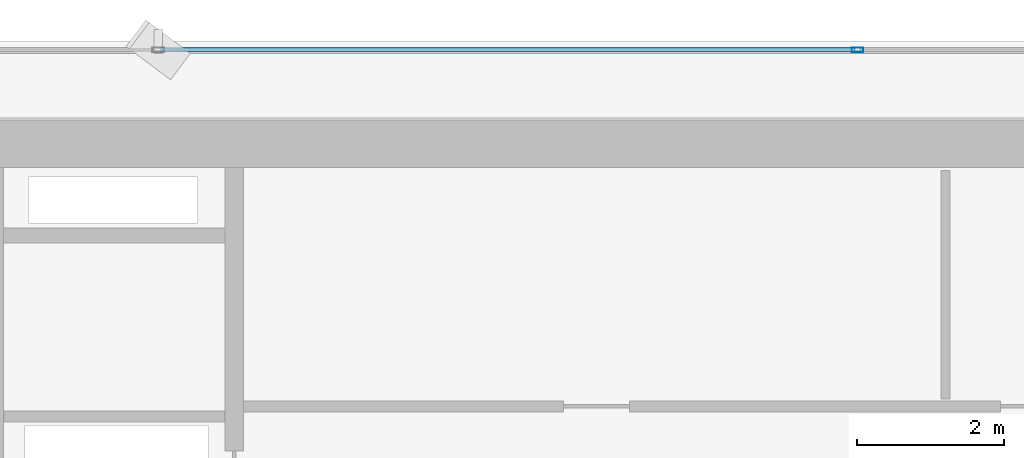
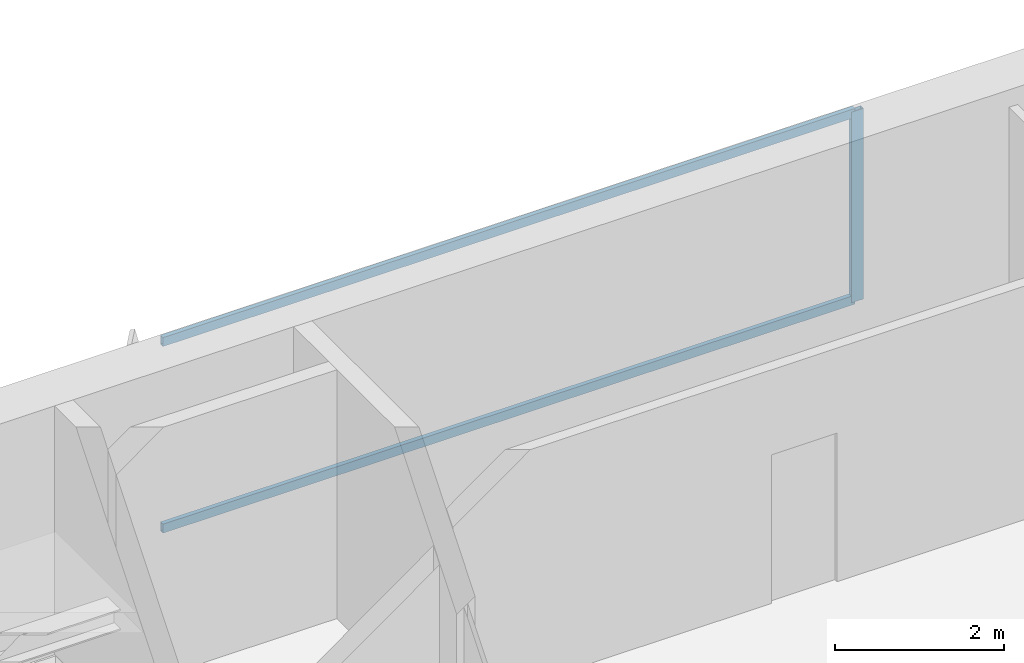
# One storey, part 16 of 28: 3 members, 1 element without a shape of its own.
"""IFC4 building model written with IfcOpenShell, lengths in metres."""

import ifcopenshell
import ifcopenshell.guid

model = None  # the IFC model being written
_history = None  # IfcOwnerHistory: only IFC2X3 demands one
_inside = {}  # id of a spatial element -> (the spatial element, [elements in it])
_under = {}  # id of a project, library or spatial element -> (it, [spatial elements below it])
_declared = {}  # id of a project -> (the project, [libraries it declares])
_typed = {}  # id of a type object -> (the type object, [elements of that type])
_made_of = {}  # id of a material, layer set ... -> (it, [elements and type objects made of it])


def new_model(schema):
    """Start an empty IFC model of exactly this schema.

    Asked for "IFC4X3", IfcOpenShell would pick the latest addendum, in which some entities
    have other attributes; the version numbers below select the first issue.
    IFC2X3 requires an IfcOwnerHistory on every rooted entity: one is made here for all.
    """
    global model, _history
    if schema == "IFC4X3":
        model = ifcopenshell.file(schema_version=(4, 3, 0, 0))
    else:
        model = ifcopenshell.file(schema=schema)
    _inside.clear()
    _under.clear()
    _declared.clear()
    _typed.clear()
    _made_of.clear()
    _history = None
    if model.schema == "IFC2X3":
        org = make("IfcOrganization", Name="unknown")
        user = make(
            "IfcPersonAndOrganization",
            ThePerson=make("IfcPerson", FamilyName="unknown"),
            TheOrganization=org,
        )
        app = make(
            "IfcApplication",
            ApplicationDeveloper=org,
            Version="unknown",
            ApplicationFullName="unknown",
            ApplicationIdentifier="unknown",
        )
        _history = make(
            "IfcOwnerHistory",
            OwningUser=user,
            OwningApplication=app,
            ChangeAction="ADDED",
            CreationDate=0,
        )
    return model


def make(cls, **values):
    """One entity of the class cls with the attributes given. An attribute that is None is left unset."""
    return model.create_entity(
        cls, **{name: value for name, value in values.items() if value is not None}
    )


def rooted(cls, **values):
    """An entity with a GlobalId (a new one), such as an element, a storey or a relation."""
    return make(cls, GlobalId=ifcopenshell.guid.new(), OwnerHistory=_history, **values)


def si_unit(unit_type, name, prefix=None):
    """IfcSIUnit, for example si_unit("LENGTHUNIT", "METRE", prefix="MILLI")."""
    return make("IfcSIUnit", UnitType=unit_type, Prefix=prefix, Name=name)


def assignment(units):
    """IfcUnitAssignment: the units of a project."""
    return None if units is None else make("IfcUnitAssignment", Units=units)


def point(xyz):
    """IfcCartesianPoint."""
    return None if xyz is None else make("IfcCartesianPoint", Coordinates=xyz)


def direction(xyz):
    """IfcDirection."""
    return None if xyz is None else make("IfcDirection", DirectionRatios=xyz)


def frame(location, z_axis=None, x_axis=None):
    """IfcAxis2Placement3D, a coordinate frame: its origin and axes. An axis left out is left unset."""
    return make(
        "IfcAxis2Placement3D",
        Location=point(location),
        Axis=direction(z_axis),
        RefDirection=direction(x_axis),
    )


def frame_2d(location, x_axis=None):
    """IfcAxis2Placement2D, a coordinate frame in the plane: its origin and x axis."""
    return make(
        "IfcAxis2Placement2D", Location=point(location), RefDirection=direction(x_axis)
    )


def origin():
    """The frame at (0, 0, 0) with its axes left unset."""
    return frame((0.0, 0.0, 0.0))


def origin_2d():
    """The frame at (0, 0) in the plane with its x axis left unset."""
    return frame_2d((0.0, 0.0))


def place(relative_to, where):
    """IfcLocalPlacement: puts the frame where relative to a parent placement (None: the world)."""
    return make(
        "IfcLocalPlacement", PlacementRelTo=relative_to, RelativePlacement=where
    )


def context(
    kind, dimensions, precision=None, world=None, true_north=None, identifier=None
):
    """IfcGeometricRepresentationContext, for example the 3D "Model" context."""
    return make(
        "IfcGeometricRepresentationContext",
        ContextIdentifier=identifier,
        ContextType=kind,
        CoordinateSpaceDimension=dimensions,
        Precision=precision,
        WorldCoordinateSystem=world,
        TrueNorth=true_north,
    )


def subcontext(parent, identifier, kind, view, scale=None):
    """IfcGeometricRepresentationSubContext, for example "Body" below "Model"."""
    return make(
        "IfcGeometricRepresentationSubContext",
        ContextIdentifier=identifier,
        ContextType=kind,
        ParentContext=parent,
        TargetScale=scale,
        TargetView=view,
    )


def project(units=None, contexts=None):
    """IfcProject with its units and contexts."""
    return rooted(
        "IfcProject",
        Name="project",
        RepresentationContexts=contexts,
        UnitsInContext=assignment(units),
    )


def spatial(cls, under=None, at=None, **own):
    """A site, building, storey or space (cls), placed at a placement, below another one or the project."""
    s = rooted(cls, ObjectPlacement=at, **own)
    if under is not None:
        _under.setdefault(under.id(), (under, []))[1].append(s)
    return s


def profile(cls, at=None, kind="AREA", **sizes):
    """A parametric profile (cls). Its sizes go by their IFC names, for example OverallWidth=200.0."""
    return make(cls, ProfileType=kind, Position=at, **sizes)


def hollow_rectangle(**sizes):
    """IfcRectangleHollowProfileDef."""
    return profile("IfcRectangleHollowProfileDef", **sizes)


def extrude(swept, where, along, depth):
    """IfcExtrudedAreaSolid: the profile swept, set in the frame where, extruded along a direction by depth."""
    return make(
        "IfcExtrudedAreaSolid",
        SweptArea=swept,
        Position=where,
        ExtrudedDirection=direction(along),
        Depth=depth,
    )


def shape(context_of_items, identifier, shape_type, items):
    """IfcShapeRepresentation: the items that make up one representation, for example the "Body"."""
    return make(
        "IfcShapeRepresentation",
        ContextOfItems=context_of_items,
        RepresentationIdentifier=identifier,
        RepresentationType=shape_type,
        Items=items,
    )


def source(mapping_origin, context_of_items, identifier, shape_type, items):
    """IfcRepresentationMap: a shape defined once, which mapped items show again and again."""
    return make(
        "IfcRepresentationMap",
        MappingOrigin=mapping_origin,
        MappedRepresentation=shape(context_of_items, identifier, shape_type, items),
    )


def transform(
    local_origin,
    x_axis=None,
    y_axis=None,
    z_axis=None,
    scale=None,
    scale2=None,
    scale3=None,
    uniform=True,
):
    """IfcCartesianTransformationOperator3D, or its non-uniform kind. x_axis, y_axis, z_axis: its Axis1, 2, 3."""
    if uniform:
        return make(
            "IfcCartesianTransformationOperator3D",
            Axis1=direction(x_axis),
            Axis2=direction(y_axis),
            LocalOrigin=point(local_origin),
            Scale=scale,
            Axis3=direction(z_axis),
        )
    return make(
        "IfcCartesianTransformationOperator3DnonUniform",
        Axis1=direction(x_axis),
        Axis2=direction(y_axis),
        LocalOrigin=point(local_origin),
        Scale=scale,
        Axis3=direction(z_axis),
        Scale2=scale2,
        Scale3=scale3,
    )


def mapped(mapping_source, mapping_target):
    """IfcMappedItem: shows the shape of a source again, moved by a transform."""
    return make(
        "IfcMappedItem", MappingSource=mapping_source, MappingTarget=mapping_target
    )


def material(Name=None, Category=None):
    """IfcMaterial."""
    return make("IfcMaterial", Name=Name, Category=Category)


def layer(
    of_material, thickness, ventilated=None, Name=None, Category=None, Priority=None
):
    """IfcMaterialLayer: one layer of a wall or slab, of a material (None: an air gap)."""
    return make(
        "IfcMaterialLayer",
        Material=of_material,
        LayerThickness=thickness,
        IsVentilated=ventilated,
        Name=Name,
        Category=Category,
        Priority=Priority,
    )


def layer_set(layers, Name=None):
    """IfcMaterialLayerSet."""
    return make("IfcMaterialLayerSet", MaterialLayers=layers, LayerSetName=Name)


def material_profile(
    of_material, cross_section, Name=None, Category=None, Priority=None
):
    """IfcMaterialProfile: a cross section and its material."""
    return make(
        "IfcMaterialProfile",
        Name=Name,
        Material=of_material,
        Profile=cross_section,
        Priority=Priority,
        Category=Category,
    )


def profile_set(profiles, Name=None, composite=None):
    """IfcMaterialProfileSet."""
    return make(
        "IfcMaterialProfileSet",
        Name=Name,
        MaterialProfiles=profiles,
        CompositeProfile=composite,
    )


def made_of(thing, what):
    """Note that an element or type object is made of a material, layer set ...; save() writes the relation."""
    if what is not None:
        _made_of.setdefault(what.id(), (what, []))[1].append(thing)
    return thing


def type_object(cls, material=None, **own):
    """A type object (cls), such as IfcWallType, which elements share."""
    return made_of(rooted(cls, **own), material)


def element(
    cls,
    number,
    at=None,
    inside=None,
    cuts=None,
    type_object=None,
    material=None,
    context=None,
    identifier="Body",
    shape_type=None,
    held_by="IfcProductDefinitionShape",
    body=None,
    shapes=None,
    **own,
):
    """One element of the class cls, such as IfcWall. Its Tag is "e" and its number.

    at: its placement. inside: the storey or other place that contains it. cuts: it is an
    opening in that element (IfcRelVoidsElement). A single representation is given by context,
    identifier, shape_type and body (its items); several are given by shapes. held_by: the class
    of the entity that holds the representations. save() writes the other relations.
    """
    e = rooted(cls, Tag="e%d" % number, ObjectPlacement=at, **own)
    if body is not None:
        shapes = [shape(context, identifier, shape_type, body)]
    if shapes is not None:
        e.Representation = make(held_by, Representations=shapes)
    if inside is not None:
        _inside.setdefault(inside.id(), (inside, []))[1].append(e)
    if cuts is not None:
        rooted(
            "IfcRelVoidsElement", RelatingBuildingElement=cuts, RelatedOpeningElement=e
        )
    if type_object is not None:
        _typed.setdefault(type_object.id(), (type_object, []))[1].append(e)
    return made_of(e, material)


def aggregate(whole, parts):
    """IfcRelAggregates: a whole, such as a stair, and the parts it consists of."""
    return rooted("IfcRelAggregates", RelatingObject=whole, RelatedObjects=parts)


def save(model, path):
    """Write the relations noted so far, then the file.

    IfcRelAggregates (storeys below a building ...), IfcRelContainedInSpatialStructure (elements
    in a storey), IfcRelDefinesByType, IfcRelAssociatesMaterial and IfcRelDeclares: one each for
    every whole, place, type object, material and project.
    """
    for whole, parts in _under.values():
        aggregate(whole, parts)
    for where, things in _inside.values():
        rooted(
            "IfcRelContainedInSpatialStructure",
            RelatedElements=things,
            RelatingStructure=where,
        )
    for kind, things in _typed.values():
        rooted("IfcRelDefinesByType", RelatedObjects=things, RelatingType=kind)
    for what, things in _made_of.values():
        rooted("IfcRelAssociatesMaterial", RelatedObjects=things, RelatingMaterial=what)
    for by, libraries in _declared.values():
        rooted("IfcRelDeclares", RelatingContext=by, RelatedDefinitions=libraries)
    model.write(path)


model = new_model("IFC4")

# Units and contexts
model_context = context("Model", 3, precision=1e-05, world=origin(), true_north=direction((0.0, 1.0)))
body_context = subcontext(model_context, "Body", "Model", "MODEL_VIEW")
ifc_project = project(units=[si_unit("LENGTHUNIT", "METRE"), si_unit("AREAUNIT", "SQUARE_METRE"), si_unit("VOLUMEUNIT", "CUBIC_METRE"), si_unit("PLANEANGLEUNIT", "RADIAN"), si_unit("MASSUNIT", "GRAM", prefix="KILO")], contexts=[model_context])

# Site, building, storey
site_placement = place(None, origin())
site = spatial("IfcSite", under=ifc_project, at=site_placement, CompositionType="ELEMENT")
building_placement = place(site_placement, origin())
building = spatial("IfcBuilding", under=site, at=building_placement, Name="Sumidabori Civic Tower", CompositionType="ELEMENT")
storey_placement = place(building_placement, frame((0.0, 0.0, 167.60009765625)))
storey = spatial("IfcBuildingStorey", under=building, at=storey_placement, Name="L43", CompositionType="ELEMENT", Elevation=167.60009765625)

# Curtain wall, members
ifc_material = material(Name="Anodised Bronze Aluminium AW-6063-T6", Category="aluminium")
ifc_layer = layer(ifc_material, 0.179931640625, Name="Anodised Bronze Aluminium AW-6063-T6")
ifc_layer_set = layer_set([ifc_layer], Name="Anodised Bronze Aluminium AW-6063-T6")
curtain_wall_type = type_object("IfcCurtainWallType", Name="CW-SYS-3", PredefinedType="NOTDEFINED", material=ifc_layer_set)
curtain_wall_placement = place(storey_placement, origin())
curtain_wall = element("IfcCurtainWall", 1, at=curtain_wall_placement, inside=storey, type_object=curtain_wall_type, Name="Curtain Wall CW:L43:R07", PredefinedType="NOTDEFINED")
ifc_material_profile_1 = material_profile(ifc_material, hollow_rectangle(XDim=0.06494140625, YDim=0.159912109375, WallThickness=0.0048828125, at=origin_2d()), Name="ALU MULLION 160x65")
ifc_profile_set_1 = profile_set([ifc_material_profile_1], Name="Anodised Bronze Aluminium AW-6063-T6")
member_type_1 = type_object("IfcMemberType", Name="CW-MUL-160", PredefinedType="MULLION", material=ifc_profile_set_1)
shared_shape_1 = source(origin(), body_context, "Body", "SweptSolid", [
    extrude(hollow_rectangle(XDim=0.06494140625, YDim=0.159912109375, WallThickness=0.0048828125, at=origin_2d()), origin(), (0.0, 0.0, 1.0), 2.760009765625),
])
member_1_placement = place(storey_placement, frame((0.0, 25.080078125, 0.0), z_axis=(0.0, 0.0, 1.0), x_axis=(0.0, -1.0, 0.0)))
member_1 = element("IfcMember", 2, at=member_1_placement, type_object=member_type_1, Name="CW-3 mullion 3", PredefinedType="MULLION", context=body_context, shape_type="MappedRepresentation", body=[
    mapped(shared_shape_1, transform((0.0, 0.0, 0.0), x_axis=(1.0, 0.0, 0.0), y_axis=(0.0, 1.0, 0.0), z_axis=(0.0, 0.0, 1.0), scale=1.0)),
])
ifc_material_profile_2 = material_profile(ifc_material, hollow_rectangle(XDim=0.06005859375, YDim=0.1298828125, WallThickness=0.0048828125, at=origin_2d()), Name="ALU TRANSOM 130x60")
ifc_profile_set_2 = profile_set([ifc_material_profile_2], Name="Anodised Bronze Aluminium AW-6063-T6")
member_type_2 = type_object("IfcMemberType", Name="CW-TRN-130", PredefinedType="USERDEFINED", material=ifc_profile_set_2)
shared_shape_2 = source(origin(), body_context, "Body", "SweptSolid", [
    extrude(hollow_rectangle(XDim=0.06005859375, YDim=0.1298828125, WallThickness=0.0048828125, at=origin_2d()), origin(), (0.0, 0.0, 1.0), 9.469970703125),
])
member_2_placement = place(storey_placement, frame((-0.032470703125, 25.080078125, 0.02978515625), z_axis=(-1.0, 0.0, 0.0), x_axis=(0.0, -1.0, 0.0)))
member_2 = element("IfcMember", 3, at=member_2_placement, type_object=member_type_2, Name="CW-3 transom 3.1", ObjectType="TRANSOM", PredefinedType="USERDEFINED", context=body_context, shape_type="MappedRepresentation", body=[
    mapped(shared_shape_2, transform((0.0, 0.0, 0.0), x_axis=(1.0, 0.0, 0.0), y_axis=(0.0, 1.0, 0.0), z_axis=(0.0, 0.0, 1.0), scale=1.0)),
])
member_3_placement = place(storey_placement, frame((-0.032470703125, 25.080078125, 2.72998046875), z_axis=(-1.0, 0.0, 0.0), x_axis=(0.0, -1.0, 0.0)))
member_3 = element("IfcMember", 4, at=member_3_placement, type_object=member_type_2, Name="CW-3 transom 3.2", ObjectType="TRANSOM", PredefinedType="USERDEFINED", context=body_context, shape_type="MappedRepresentation", body=[
    mapped(shared_shape_2, transform((0.0, 0.0, 0.0), x_axis=(1.0, 0.0, 0.0), y_axis=(0.0, 1.0, 0.0), z_axis=(0.0, 0.0, 1.0), scale=1.0)),
])
aggregate(curtain_wall, [member_1, member_2, member_3])

save(model, "model.ifc")
